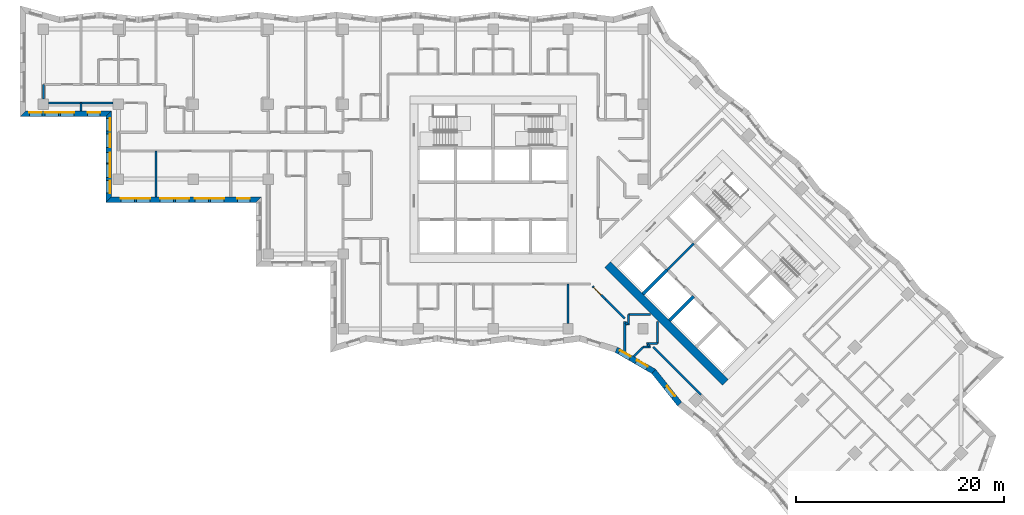
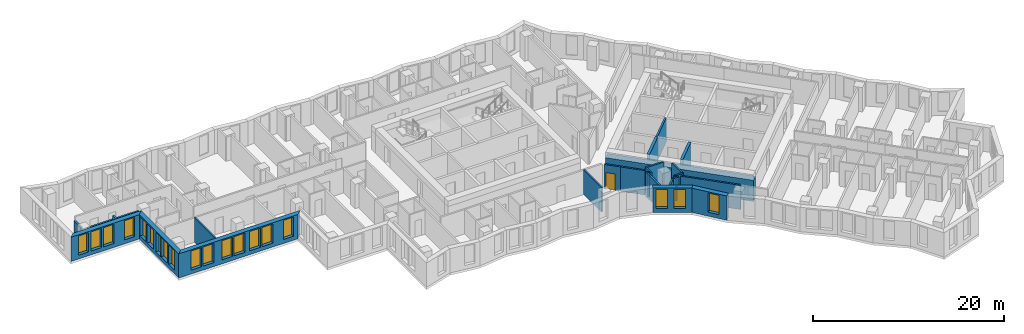
# One storey, part 3 of 13: 26 walls, 19 windows, 1 door, 20 openings.
"""IFC4 building model written with IfcOpenShell, lengths in metres."""

from ifc_helpers import new_model, si_unit, direction, frame, frame_2d, origin, place, context, subcontext, project, spatial, polyline, rectangle, outline, extrude, material, layer, layer_set, type_object, element, fill, save


model = new_model("IFC4")

# Units and contexts
model_context = context("Model", 3, precision=1e-05, world=origin(), true_north=direction((0.0, 1.0)))
body_context = subcontext(model_context, "Body", "Model", "MODEL_VIEW")
ifc_project = project(units=[si_unit("LENGTHUNIT", "METRE"), si_unit("AREAUNIT", "SQUARE_METRE"), si_unit("VOLUMEUNIT", "CUBIC_METRE"), si_unit("PLANEANGLEUNIT", "RADIAN"), si_unit("MASSUNIT", "GRAM", prefix="KILO")], contexts=[model_context])

# Site, building, storey
site_placement = place(None, origin())
site = spatial("IfcSite", under=ifc_project, at=site_placement, CompositionType="ELEMENT")
building_placement = place(site_placement, origin())
building = spatial("IfcBuilding", under=site, at=building_placement, Name="Windrow Commons", CompositionType="ELEMENT")
storey_placement = place(building_placement, frame((0.0, 0.0, 98.2)))
storey = spatial("IfcBuildingStorey", under=building, at=storey_placement, Name="L26", CompositionType="ELEMENT", Elevation=98.2)

# Wall, openings, windows
ifc_material_1 = material(Name="Brick masonry, red clay brick", Category="masonry")
ifc_layer_1 = layer(ifc_material_1, 0.55)
ifc_layer_set_1 = layer_set([ifc_layer_1], Name="Brick facade wall 550")
wall_type_1 = type_object("IfcWallType", Name="Brick facade wall 550", PredefinedType="SOLIDWALL", material=ifc_layer_set_1)
wall_1_placement = place(storey_placement, frame((19.624, 63.875, 0.0), z_axis=(0.0, 0.0, 1.0), x_axis=(1.0, 0.0, 0.0)))
wall_1 = element("IfcWall", 1, at=wall_1_placement, inside=storey, type_object=wall_type_1, Name="Brick facade wall L26 38", PredefinedType="SOLIDWALL", context=body_context, shape_type="SweptSolid", body=[
    extrude(outline(polyline([(-0.275, -0.275), (7.976, -0.275), (8.526, 0.275), (0.275, 0.275), (-0.275, -0.275)])), origin(), (0.0, 0.0, 1.0), 3.1),
])
opening_1_placement = place(wall_1_placement, frame((2.126, 0.0, 0.5)))
opening_1 = element("IfcOpeningElement", 2, at=opening_1_placement, cuts=wall_1, Name="Opening W1P", PredefinedType="OPENING", context=body_context, shape_type="SweptSolid", body=[
    extrude(rectangle(XDim=1.3, YDim=2.45, at=frame_2d((0.65, 1.225))), frame((0.0, 0.285, 0.0), z_axis=(0.0, -1.0, 0.0), x_axis=(1.0, 0.0, 0.0)), (0.0, 0.0, 1.0), 0.57),
])
opening_2_placement = place(wall_1_placement, frame((3.626, 0.0, 0.5)))
opening_2 = element("IfcOpeningElement", 3, at=opening_2_placement, cuts=wall_1, Name="Opening W1P", PredefinedType="OPENING", context=body_context, shape_type="SweptSolid", body=[
    extrude(rectangle(XDim=1.3, YDim=2.45, at=frame_2d((0.65, 1.225))), frame((0.0, 0.285, 0.0), z_axis=(0.0, -1.0, 0.0), x_axis=(1.0, 0.0, 0.0)), (0.0, 0.0, 1.0), 0.57),
])
opening_3_placement = place(wall_1_placement, frame((0.6255, 0.0, 0.5)))
opening_3 = element("IfcOpeningElement", 4, at=opening_3_placement, cuts=wall_1, Name="Opening W7D", PredefinedType="OPENING", context=body_context, shape_type="SweptSolid", body=[
    extrude(rectangle(XDim=1.2, YDim=2.45, at=frame_2d((0.6, 1.225))), frame((0.0, 0.285, 0.0), z_axis=(0.0, -1.0, 0.0), x_axis=(1.0, 0.0, 0.0)), (0.0, 0.0, 1.0), 0.57),
])
opening_4_placement = place(wall_1_placement, frame((6.2135, 0.0, 0.5)))
opening_4 = element("IfcOpeningElement", 5, at=opening_4_placement, cuts=wall_1, Name="Opening W7D", PredefinedType="OPENING", context=body_context, shape_type="SweptSolid", body=[
    extrude(rectangle(XDim=1.2, YDim=2.45, at=frame_2d((0.6, 1.225))), frame((0.0, 0.285, 0.0), z_axis=(0.0, -1.0, 0.0), x_axis=(1.0, 0.0, 0.0)), (0.0, 0.0, 1.0), 0.57),
])
ifc_material_2 = material(Name="Clear float glass in anodised aluminium frame", Category="aluminium")
window_type_1 = type_object("IfcWindowType", Name="Window W1P pair 1300x2450", PartitioningType="SINGLE_PANEL", PredefinedType="WINDOW", material=ifc_material_2)
window_1_placement = place(opening_1_placement, origin())
window_1 = element("IfcWindow", 6, at=window_1_placement, inside=storey, type_object=window_type_1, Name="Window L26 38.1A", OverallHeight=2.45, OverallWidth=1.3, PartitioningType="SINGLE_PANEL", PredefinedType="WINDOW", context=body_context, shape_type="SweptSolid", body=[
    extrude(rectangle(XDim=1.3, YDim=2.45, at=frame_2d((0.65, 1.225))), frame((0.0, 0.155, 0.0), z_axis=(0.0, -1.0, 0.0), x_axis=(1.0, 0.0, 0.0)), (0.0, 0.0, 1.0), 0.06),
])
fill(opening_1, window_1)
window_2_placement = place(opening_2_placement, origin())
window_2 = element("IfcWindow", 7, at=window_2_placement, inside=storey, type_object=window_type_1, Name="Window L26 38.1B", OverallHeight=2.45, OverallWidth=1.3, PartitioningType="SINGLE_PANEL", PredefinedType="WINDOW", context=body_context, shape_type="SweptSolid", body=[
    extrude(rectangle(XDim=1.3, YDim=2.45, at=frame_2d((0.65, 1.225))), frame((0.0, 0.155, 0.0), z_axis=(0.0, -1.0, 0.0), x_axis=(1.0, 0.0, 0.0)), (0.0, 0.0, 1.0), 0.06),
])
fill(opening_2, window_2)
ifc_material_3 = material(Name="Clear float glass in anodised aluminium frame", Category="aluminium")
window_type_2 = type_object("IfcWindowType", Name="Window W7 notch 1200x2450", PartitioningType="SINGLE_PANEL", PredefinedType="WINDOW", material=ifc_material_3)
window_3_placement = place(opening_3_placement, origin())
window_3 = element("IfcWindow", 8, at=window_3_placement, inside=storey, type_object=window_type_2, Name="Window L26 38.2", OverallHeight=2.45, OverallWidth=1.2, PartitioningType="SINGLE_PANEL", PredefinedType="WINDOW", context=body_context, shape_type="SweptSolid", body=[
    extrude(rectangle(XDim=1.2, YDim=2.45, at=frame_2d((0.6, 1.225))), frame((0.0, 0.155, 0.0), z_axis=(0.0, -1.0, 0.0), x_axis=(1.0, 0.0, 0.0)), (0.0, 0.0, 1.0), 0.06),
])
fill(opening_3, window_3)
window_4_placement = place(opening_4_placement, origin())
window_4 = element("IfcWindow", 9, at=window_4_placement, inside=storey, type_object=window_type_2, Name="Window L26 38.3", OverallHeight=2.45, OverallWidth=1.2, PartitioningType="SINGLE_PANEL", PredefinedType="WINDOW", context=body_context, shape_type="SweptSolid", body=[
    extrude(rectangle(XDim=1.2, YDim=2.45, at=frame_2d((0.6, 1.225))), frame((0.0, 0.155, 0.0), z_axis=(0.0, -1.0, 0.0), x_axis=(1.0, 0.0, 0.0)), (0.0, 0.0, 1.0), 0.06),
])
fill(opening_4, window_4)

wall_2_placement = place(storey_placement, frame((27.875, 63.875, 0.0), z_axis=(0.0, 0.0, 1.0), x_axis=(0.0, -1.0, 0.0)))
wall_2 = element("IfcWall", 10, at=wall_2_placement, inside=storey, type_object=wall_type_1, Name="Brick facade wall L26 39", PredefinedType="SOLIDWALL", context=body_context, shape_type="SweptSolid", body=[
    extrude(outline(polyline([(0.275, -0.275), (8.526, -0.275), (7.976, 0.275), (-0.275, 0.275), (0.275, -0.275)])), origin(), (0.0, 0.0, 1.0), 3.1),
])
opening_5_placement = place(wall_2_placement, frame((4.825, 0.0, 0.5)))
opening_5 = element("IfcOpeningElement", 11, at=opening_5_placement, cuts=wall_2, Name="Opening W1P", PredefinedType="OPENING", context=body_context, shape_type="SweptSolid", body=[
    extrude(rectangle(XDim=1.3, YDim=2.45, at=frame_2d((0.65, 1.225))), frame((0.0, 0.285, 0.0), z_axis=(0.0, -1.0, 0.0), x_axis=(1.0, 0.0, 0.0)), (0.0, 0.0, 1.0), 0.57),
])
opening_6_placement = place(wall_2_placement, frame((0.4375, 0.0, 0.5)))
opening_6 = element("IfcOpeningElement", 12, at=opening_6_placement, cuts=wall_2, Name="Opening W7D", PredefinedType="OPENING", context=body_context, shape_type="SweptSolid", body=[
    extrude(rectangle(XDim=1.2, YDim=2.45, at=frame_2d((0.6, 1.225))), frame((0.0, 0.285, 0.0), z_axis=(0.0, -1.0, 0.0), x_axis=(1.0, 0.0, 0.0)), (0.0, 0.0, 1.0), 0.57),
])
opening_7_placement = place(wall_2_placement, frame((6.4255, 0.0, 0.5)))
opening_7 = element("IfcOpeningElement", 13, at=opening_7_placement, cuts=wall_2, Name="Opening W7D", PredefinedType="OPENING", context=body_context, shape_type="SweptSolid", body=[
    extrude(rectangle(XDim=1.2, YDim=2.45, at=frame_2d((0.6, 1.225))), frame((0.0, 0.285, 0.0), z_axis=(0.0, -1.0, 0.0), x_axis=(1.0, 0.0, 0.0)), (0.0, 0.0, 1.0), 0.57),
])
opening_8_placement = place(wall_2_placement, frame((1.9313, 0.0, 0.5)))
opening_8 = element("IfcOpeningElement", 14, at=opening_8_placement, cuts=wall_2, Name="Opening W1P", PredefinedType="OPENING", context=body_context, shape_type="SweptSolid", body=[
    extrude(rectangle(XDim=1.3, YDim=2.45, at=frame_2d((0.65, 1.225))), frame((0.0, 0.285, 0.0), z_axis=(0.0, -1.0, 0.0), x_axis=(1.0, 0.0, 0.0)), (0.0, 0.0, 1.0), 0.57),
])
opening_9_placement = place(wall_2_placement, frame((3.725, 0.0, 0.45)))
opening_9 = element("IfcOpeningElement", 15, at=opening_9_placement, cuts=wall_2, Name="Opening W1S", PredefinedType="OPENING", context=body_context, shape_type="SweptSolid", body=[
    extrude(rectangle(XDim=1.0, YDim=2.5, at=frame_2d((0.5, 1.25))), frame((0.0, 0.285, 0.0), z_axis=(0.0, -1.0, 0.0), x_axis=(1.0, 0.0, 0.0)), (0.0, 0.0, 1.0), 0.57),
])
window_5_placement = place(opening_5_placement, origin())
window_5 = element("IfcWindow", 16, at=window_5_placement, inside=storey, type_object=window_type_1, Name="Window L26 39.1B", OverallHeight=2.45, OverallWidth=1.3, PartitioningType="SINGLE_PANEL", PredefinedType="WINDOW", context=body_context, shape_type="SweptSolid", body=[
    extrude(rectangle(XDim=1.3, YDim=2.45, at=frame_2d((0.65, 1.225))), frame((0.0, 0.155, 0.0), z_axis=(0.0, -1.0, 0.0), x_axis=(1.0, 0.0, 0.0)), (0.0, 0.0, 1.0), 0.06),
])
fill(opening_5, window_5)
window_6_placement = place(opening_8_placement, origin())
window_6 = element("IfcWindow", 17, at=window_6_placement, inside=storey, type_object=window_type_1, Name="Window L26 39.1AA", OverallHeight=2.45, OverallWidth=1.3, PartitioningType="SINGLE_PANEL", PredefinedType="WINDOW", context=body_context, shape_type="SweptSolid", body=[
    extrude(rectangle(XDim=1.3, YDim=2.45, at=frame_2d((0.65, 1.225))), frame((0.0, 0.155, 0.0), z_axis=(0.0, -1.0, 0.0), x_axis=(1.0, 0.0, 0.0)), (0.0, 0.0, 1.0), 0.06),
])
fill(opening_8, window_6)
ifc_material_4 = material(Name="Clear float glass in anodised aluminium frame", Category="aluminium")
window_type_3 = type_object("IfcWindowType", Name="Window W1S slit 1000x2500", PartitioningType="SINGLE_PANEL", PredefinedType="WINDOW", material=ifc_material_4)
window_7_placement = place(opening_9_placement, origin())
window_7 = element("IfcWindow", 18, at=window_7_placement, inside=storey, type_object=window_type_3, Name="Window L26 39.1AB", OverallHeight=2.5, OverallWidth=1.0, PartitioningType="SINGLE_PANEL", PredefinedType="WINDOW", context=body_context, shape_type="SweptSolid", body=[
    extrude(rectangle(XDim=1.0, YDim=2.5, at=frame_2d((0.5, 1.25))), frame((0.0, 0.155, 0.0), z_axis=(0.0, -1.0, 0.0), x_axis=(1.0, 0.0, 0.0)), (0.0, 0.0, 1.0), 0.06),
])
fill(opening_9, window_7)
window_8_placement = place(opening_6_placement, origin())
window_8 = element("IfcWindow", 19, at=window_8_placement, inside=storey, type_object=window_type_2, Name="Window L26 39.2", OverallHeight=2.45, OverallWidth=1.2, PartitioningType="SINGLE_PANEL", PredefinedType="WINDOW", context=body_context, shape_type="SweptSolid", body=[
    extrude(rectangle(XDim=1.2, YDim=2.45, at=frame_2d((0.6, 1.225))), frame((0.0, 0.155, 0.0), z_axis=(0.0, -1.0, 0.0), x_axis=(1.0, 0.0, 0.0)), (0.0, 0.0, 1.0), 0.06),
])
fill(opening_6, window_8)
window_9_placement = place(opening_7_placement, origin())
window_9 = element("IfcWindow", 20, at=window_9_placement, inside=storey, type_object=window_type_2, Name="Window L26 39.3", OverallHeight=2.45, OverallWidth=1.2, PartitioningType="SINGLE_PANEL", PredefinedType="WINDOW", context=body_context, shape_type="SweptSolid", body=[
    extrude(rectangle(XDim=1.2, YDim=2.45, at=frame_2d((0.6, 1.225))), frame((0.0, 0.155, 0.0), z_axis=(0.0, -1.0, 0.0), x_axis=(1.0, 0.0, 0.0)), (0.0, 0.0, 1.0), 0.06),
])
fill(opening_7, window_9)

wall_3_placement = place(storey_placement, frame((27.875, 55.624, 0.0), z_axis=(0.0, 0.0, 1.0), x_axis=(1.0, 0.0, 0.0)))
wall_3 = element("IfcWall", 21, at=wall_3_placement, inside=storey, type_object=wall_type_1, Name="Brick facade wall L26 40", PredefinedType="SOLIDWALL", context=body_context, shape_type="SweptSolid", body=[
    extrude(outline(polyline([(-0.275, -0.275), (14.125, -0.275), (14.675, 0.275), (0.275, 0.275), (-0.275, -0.275)])), origin(), (0.0, 0.0, 1.0), 3.1),
])
opening_10_placement = place(wall_3_placement, frame((1.175, 0.0, 0.5)))
opening_10 = element("IfcOpeningElement", 22, at=opening_10_placement, cuts=wall_3, Name="Opening W1P", PredefinedType="OPENING", context=body_context, shape_type="SweptSolid", body=[
    extrude(rectangle(XDim=1.3, YDim=2.45, at=frame_2d((0.65, 1.225))), frame((0.0, 0.285, 0.0), z_axis=(0.0, -1.0, 0.0), x_axis=(1.0, 0.0, 0.0)), (0.0, 0.0, 1.0), 0.57),
])
opening_11_placement = place(wall_3_placement, frame((2.675, 0.0, 0.5)))
opening_11 = element("IfcOpeningElement", 23, at=opening_11_placement, cuts=wall_3, Name="Opening W1P", PredefinedType="OPENING", context=body_context, shape_type="SweptSolid", body=[
    extrude(rectangle(XDim=1.3, YDim=2.45, at=frame_2d((0.65, 1.225))), frame((0.0, 0.285, 0.0), z_axis=(0.0, -1.0, 0.0), x_axis=(1.0, 0.0, 0.0)), (0.0, 0.0, 1.0), 0.57),
])
opening_12_placement = place(wall_3_placement, frame((4.925, 0.0, 0.5)))
opening_12 = element("IfcOpeningElement", 24, at=opening_12_placement, cuts=wall_3, Name="Opening W1P", PredefinedType="OPENING", context=body_context, shape_type="SweptSolid", body=[
    extrude(rectangle(XDim=1.3, YDim=2.45, at=frame_2d((0.65, 1.225))), frame((0.0, 0.285, 0.0), z_axis=(0.0, -1.0, 0.0), x_axis=(1.0, 0.0, 0.0)), (0.0, 0.0, 1.0), 0.57),
])
opening_13_placement = place(wall_3_placement, frame((6.425, 0.0, 0.5)))
opening_13 = element("IfcOpeningElement", 25, at=opening_13_placement, cuts=wall_3, Name="Opening W1P", PredefinedType="OPENING", context=body_context, shape_type="SweptSolid", body=[
    extrude(rectangle(XDim=1.3, YDim=2.45, at=frame_2d((0.65, 1.225))), frame((0.0, 0.285, 0.0), z_axis=(0.0, -1.0, 0.0), x_axis=(1.0, 0.0, 0.0)), (0.0, 0.0, 1.0), 0.57),
])
opening_14_placement = place(wall_3_placement, frame((8.275, 0.0, 0.5)))
opening_14 = element("IfcOpeningElement", 26, at=opening_14_placement, cuts=wall_3, Name="Opening W1P", PredefinedType="OPENING", context=body_context, shape_type="SweptSolid", body=[
    extrude(rectangle(XDim=1.3, YDim=2.45, at=frame_2d((0.65, 1.225))), frame((0.0, 0.285, 0.0), z_axis=(0.0, -1.0, 0.0), x_axis=(1.0, 0.0, 0.0)), (0.0, 0.0, 1.0), 0.57),
])
opening_15_placement = place(wall_3_placement, frame((9.775, 0.0, 0.5)))
opening_15 = element("IfcOpeningElement", 27, at=opening_15_placement, cuts=wall_3, Name="Opening W1P", PredefinedType="OPENING", context=body_context, shape_type="SweptSolid", body=[
    extrude(rectangle(XDim=1.3, YDim=2.45, at=frame_2d((0.65, 1.225))), frame((0.0, 0.285, 0.0), z_axis=(0.0, -1.0, 0.0), x_axis=(1.0, 0.0, 0.0)), (0.0, 0.0, 1.0), 0.57),
])
opening_16_placement = place(wall_3_placement, frame((12.3625, 0.0, 0.5)))
opening_16 = element("IfcOpeningElement", 28, at=opening_16_placement, cuts=wall_3, Name="Opening W7D", PredefinedType="OPENING", context=body_context, shape_type="SweptSolid", body=[
    extrude(rectangle(XDim=1.2, YDim=2.45, at=frame_2d((0.6, 1.225))), frame((0.0, 0.285, 0.0), z_axis=(0.0, -1.0, 0.0), x_axis=(1.0, 0.0, 0.0)), (0.0, 0.0, 1.0), 0.57),
])
window_10_placement = place(opening_10_placement, origin())
window_10 = element("IfcWindow", 29, at=window_10_placement, inside=storey, type_object=window_type_1, Name="Window L26 40.1A", OverallHeight=2.45, OverallWidth=1.3, PartitioningType="SINGLE_PANEL", PredefinedType="WINDOW", context=body_context, shape_type="SweptSolid", body=[
    extrude(rectangle(XDim=1.3, YDim=2.45, at=frame_2d((0.65, 1.225))), frame((0.0, 0.155, 0.0), z_axis=(0.0, -1.0, 0.0), x_axis=(1.0, 0.0, 0.0)), (0.0, 0.0, 1.0), 0.06),
])
fill(opening_10, window_10)
window_11_placement = place(opening_11_placement, origin())
window_11 = element("IfcWindow", 30, at=window_11_placement, inside=storey, type_object=window_type_1, Name="Window L26 40.1B", OverallHeight=2.45, OverallWidth=1.3, PartitioningType="SINGLE_PANEL", PredefinedType="WINDOW", context=body_context, shape_type="SweptSolid", body=[
    extrude(rectangle(XDim=1.3, YDim=2.45, at=frame_2d((0.65, 1.225))), frame((0.0, 0.155, 0.0), z_axis=(0.0, -1.0, 0.0), x_axis=(1.0, 0.0, 0.0)), (0.0, 0.0, 1.0), 0.06),
])
fill(opening_11, window_11)
window_12_placement = place(opening_12_placement, origin())
window_12 = element("IfcWindow", 31, at=window_12_placement, inside=storey, type_object=window_type_1, Name="Window L26 40.2A", OverallHeight=2.45, OverallWidth=1.3, PartitioningType="SINGLE_PANEL", PredefinedType="WINDOW", context=body_context, shape_type="SweptSolid", body=[
    extrude(rectangle(XDim=1.3, YDim=2.45, at=frame_2d((0.65, 1.225))), frame((0.0, 0.155, 0.0), z_axis=(0.0, -1.0, 0.0), x_axis=(1.0, 0.0, 0.0)), (0.0, 0.0, 1.0), 0.06),
])
fill(opening_12, window_12)
window_13_placement = place(opening_13_placement, origin())
window_13 = element("IfcWindow", 32, at=window_13_placement, inside=storey, type_object=window_type_1, Name="Window L26 40.2B", OverallHeight=2.45, OverallWidth=1.3, PartitioningType="SINGLE_PANEL", PredefinedType="WINDOW", context=body_context, shape_type="SweptSolid", body=[
    extrude(rectangle(XDim=1.3, YDim=2.45, at=frame_2d((0.65, 1.225))), frame((0.0, 0.155, 0.0), z_axis=(0.0, -1.0, 0.0), x_axis=(1.0, 0.0, 0.0)), (0.0, 0.0, 1.0), 0.06),
])
fill(opening_13, window_13)
window_14_placement = place(opening_14_placement, origin())
window_14 = element("IfcWindow", 33, at=window_14_placement, inside=storey, type_object=window_type_1, Name="Window L26 40.3A", OverallHeight=2.45, OverallWidth=1.3, PartitioningType="SINGLE_PANEL", PredefinedType="WINDOW", context=body_context, shape_type="SweptSolid", body=[
    extrude(rectangle(XDim=1.3, YDim=2.45, at=frame_2d((0.65, 1.225))), frame((0.0, 0.155, 0.0), z_axis=(0.0, -1.0, 0.0), x_axis=(1.0, 0.0, 0.0)), (0.0, 0.0, 1.0), 0.06),
])
fill(opening_14, window_14)
window_15_placement = place(opening_15_placement, origin())
window_15 = element("IfcWindow", 34, at=window_15_placement, inside=storey, type_object=window_type_1, Name="Window L26 40.3B", OverallHeight=2.45, OverallWidth=1.3, PartitioningType="SINGLE_PANEL", PredefinedType="WINDOW", context=body_context, shape_type="SweptSolid", body=[
    extrude(rectangle(XDim=1.3, YDim=2.45, at=frame_2d((0.65, 1.225))), frame((0.0, 0.155, 0.0), z_axis=(0.0, -1.0, 0.0), x_axis=(1.0, 0.0, 0.0)), (0.0, 0.0, 1.0), 0.06),
])
fill(opening_15, window_15)
window_16_placement = place(opening_16_placement, origin())
window_16 = element("IfcWindow", 35, at=window_16_placement, inside=storey, type_object=window_type_2, Name="Window L26 40.4", OverallHeight=2.45, OverallWidth=1.2, PartitioningType="SINGLE_PANEL", PredefinedType="WINDOW", context=body_context, shape_type="SweptSolid", body=[
    extrude(rectangle(XDim=1.2, YDim=2.45, at=frame_2d((0.6, 1.225))), frame((0.0, 0.155, 0.0), z_axis=(0.0, -1.0, 0.0), x_axis=(1.0, 0.0, 0.0)), (0.0, 0.0, 1.0), 0.06),
])
fill(opening_16, window_16)

wall_4_placement = place(storey_placement, frame((76.6313, 41.2026, 0.0), z_axis=(0.0, 0.0, 1.0), x_axis=(0.8653939422, -0.501092132, 0.0)))
wall_4 = element("IfcWall", 36, at=wall_4_placement, inside=storey, type_object=wall_type_1, Name="Brick facade wall L26 52", PredefinedType="SOLIDWALL", context=body_context, shape_type="SweptSolid", body=[
    extrude(outline(polyline([(0.0313, -0.275), (4.1112, -0.275), (4.2154, 0.275), (-0.0313, 0.275), (0.0313, -0.275)])), origin(), (0.0, 0.0, 1.0), 3.1),
])
opening_17_placement = place(wall_4_placement, frame((0.3483, 0.0, 0.5)))
opening_17 = element("IfcOpeningElement", 37, at=opening_17_placement, cuts=wall_4, Name="Opening W7D", PredefinedType="OPENING", context=body_context, shape_type="SweptSolid", body=[
    extrude(rectangle(XDim=1.2, YDim=2.45, at=frame_2d((0.6, 1.225))), frame((0.0, 0.285, 0.0), z_axis=(0.0, -1.0, 0.0), x_axis=(1.0, 0.0, 0.0)), (0.0, 0.0, 1.0), 0.57),
])
opening_18_placement = place(wall_4_placement, frame((2.2299, 0.0, 0.5)))
opening_18 = element("IfcOpeningElement", 38, at=opening_18_placement, cuts=wall_4, Name="Opening W7D", PredefinedType="OPENING", context=body_context, shape_type="SweptSolid", body=[
    extrude(rectangle(XDim=1.2, YDim=2.45, at=frame_2d((0.6, 1.225))), frame((0.0, 0.285, 0.0), z_axis=(0.0, -1.0, 0.0), x_axis=(1.0, 0.0, 0.0)), (0.0, 0.0, 1.0), 0.57),
])
window_17_placement = place(opening_17_placement, origin())
window_17 = element("IfcWindow", 39, at=window_17_placement, inside=storey, type_object=window_type_2, Name="Window L26 52.1", OverallHeight=2.45, OverallWidth=1.2, PartitioningType="SINGLE_PANEL", PredefinedType="WINDOW", context=body_context, shape_type="SweptSolid", body=[
    extrude(rectangle(XDim=1.2, YDim=2.45, at=frame_2d((0.6, 1.225))), frame((0.0, 0.155, 0.0), z_axis=(0.0, -1.0, 0.0), x_axis=(1.0, 0.0, 0.0)), (0.0, 0.0, 1.0), 0.06),
])
fill(opening_17, window_17)
window_18_placement = place(opening_18_placement, origin())
window_18 = element("IfcWindow", 40, at=window_18_placement, inside=storey, type_object=window_type_2, Name="Window L26 52.2", OverallHeight=2.45, OverallWidth=1.2, PartitioningType="SINGLE_PANEL", PredefinedType="WINDOW", context=body_context, shape_type="SweptSolid", body=[
    extrude(rectangle(XDim=1.2, YDim=2.45, at=frame_2d((0.6, 1.225))), frame((0.0, 0.155, 0.0), z_axis=(0.0, -1.0, 0.0), x_axis=(1.0, 0.0, 0.0)), (0.0, 0.0, 1.0), 0.06),
])
fill(opening_18, window_18)

# Wall, opening, window
wall_5_placement = place(storey_placement, frame((80.2342, 39.1164, 0.0), z_axis=(0.0, 0.0, 1.0), x_axis=(0.6221724239, -0.782880243, 0.0)))
wall_5 = element("IfcWall", 41, at=wall_5_placement, inside=storey, type_object=wall_type_1, Name="Brick facade wall L26 53", PredefinedType="SOLIDWALL", context=body_context, shape_type="SweptSolid", body=[
    extrude(outline(polyline([(0.0521, -0.275), (4.0201, -0.275), (3.9572, 0.275), (-0.0521, 0.275), (0.0521, -0.275)])), origin(), (0.0, 0.0, 1.0), 3.1),
])
opening_19_placement = place(wall_5_placement, frame((1.8908, 0.0, 0.5)))
opening_19 = element("IfcOpeningElement", 42, at=opening_19_placement, cuts=wall_5, Name="Opening W7D", PredefinedType="OPENING", context=body_context, shape_type="SweptSolid", body=[
    extrude(rectangle(XDim=1.2, YDim=2.45, at=frame_2d((0.6, 1.225))), frame((0.0, 0.285, 0.0), z_axis=(0.0, -1.0, 0.0), x_axis=(1.0, 0.0, 0.0)), (0.0, 0.0, 1.0), 0.57),
])
window_19_placement = place(opening_19_placement, origin())
window_19 = element("IfcWindow", 43, at=window_19_placement, inside=storey, type_object=window_type_2, Name="Window L26 53.1", OverallHeight=2.45, OverallWidth=1.2, PartitioningType="SINGLE_PANEL", PredefinedType="WINDOW", context=body_context, shape_type="SweptSolid", body=[
    extrude(rectangle(XDim=1.2, YDim=2.45, at=frame_2d((0.6, 1.225))), frame((0.0, 0.155, 0.0), z_axis=(0.0, -1.0, 0.0), x_axis=(1.0, 0.0, 0.0)), (0.0, 0.0, 1.0), 0.06),
])
fill(opening_19, window_19)

# Walls
ifc_material_5 = material(Name="Blockwork partition", Category="masonry")
ifc_layer_2 = layer(ifc_material_5, 0.2)
ifc_layer_set_2 = layer_set([ifc_layer_2], Name="Fire lobby partition 200")
wall_type_2 = type_object("IfcWallType", Name="Fire lobby partition 200", PredefinedType="PARTITIONING", material=ifc_layer_set_2)
wall_6_placement = place(storey_placement, frame((81.5335, 48.8776, 0.0), z_axis=(0.0, 0.0, 1.0), x_axis=(0.707092892, 0.7071206701, 0.0)))
element("IfcWall", 44, at=wall_6_placement, inside=storey, type_object=wall_type_2, Name="W-core-lobby-B-L26", PredefinedType="PARTITIONING", context=body_context, shape_type="SweptSolid", body=[
    extrude(rectangle(XDim=3.6, YDim=0.2, at=frame_2d((1.8, 0.0))), origin(), (0.0, 0.0, 1.0), 3.1),
])
ifc_material_6 = material(Name="Blockwork partition", Category="masonry")
ifc_layer_3 = layer(ifc_material_6, 0.2)
ifc_layer_set_3 = layer_set([ifc_layer_3], Name="IW-CORRIDOR-200")
wall_type_3 = type_object("IfcWallType", Name="IW-CORRIDOR-200", PredefinedType="PARTITIONING", material=ifc_layer_set_3)
wall_7_placement = place(storey_placement, frame((80.1973, 41.4533, 0.0), z_axis=(0.0, 0.0, 1.0), x_axis=(0.7071067812, -0.7071067812, 0.0)))
element("IfcWall", 45, at=wall_7_placement, inside=storey, type_object=wall_type_3, Name="W-L26-W025", PredefinedType="PARTITIONING", context=body_context, shape_type="SweptSolid", body=[
    extrude(rectangle(XDim=6.4884, YDim=0.2, at=frame_2d((3.2442, 0.0))), origin(), (0.0, 0.0, 1.0), 3.1),
])
wall_8_placement = place(storey_placement, frame((22.1, 64.9, 0.0), z_axis=(0.0, 0.0, 1.0), x_axis=(1.0, 0.0, 0.0)))
element("IfcWall", 46, at=wall_8_placement, inside=storey, type_object=wall_type_3, Name="W-L26-W028", PredefinedType="PARTITIONING", context=body_context, shape_type="SweptSolid", body=[
    extrude(rectangle(XDim=6.2, YDim=0.2, at=frame_2d((3.1, 0.0))), origin(), (0.0, 0.0, 1.0), 2.6),
])
wall_9_placement = place(storey_placement, frame((75.5982, 46.0402, 0.0), z_axis=(0.0, 0.0, 1.0), x_axis=(0.7074891043, -0.7067242512, 0.0)))
element("IfcWall", 47, at=wall_9_placement, inside=storey, type_object=wall_type_3, Name="W-L26-W069", PredefinedType="PARTITIONING", context=body_context, shape_type="SweptSolid", body=[
    extrude(rectangle(XDim=2.6149, YDim=0.2, at=frame_2d((1.3075, 0.0))), origin(), (0.0, 0.0, 1.0), 3.1),
])
for number, where, z_axis, x_axis, name in (
    (48, (77.802, 44.6, 0.0), (0.0, 0.0, 1.0), (1.0, 0.0, 0.0), "W-L26-W119"),
    (49, (80.6, 41.802, 0.0), (0.0, 0.0, 1.0), (0.0, 1.0, 0.0), "W-L26-W120"),
):
    element("IfcWall", number, at=place(storey_placement, frame(where, z_axis=z_axis, x_axis=x_axis)), inside=storey, type_object=wall_type_3, Name=name, PredefinedType="PARTITIONING", context=body_context, shape_type="SweptSolid", body=[
        extrude(rectangle(XDim=2.098, YDim=0.2, at=frame_2d((1.049, 0.0))), origin(), (0.0, 0.0, 1.0), 3.1),
    ])

# Wall, opening, door
wall_10_placement = place(storey_placement, frame((74.3393, 47.2973, 0.0), z_axis=(0.0, 0.0, 1.0), x_axis=(0.7071067812, -0.7071067812, 0.0)))
wall_10 = element("IfcWall", 50, at=wall_10_placement, inside=storey, type_object=wall_type_3, Name="W-L26-W156", PredefinedType="PARTITIONING", context=body_context, shape_type="SweptSolid", body=[
    extrude(rectangle(XDim=1.7791, YDim=0.2, at=frame_2d((0.8895, 0.0))), origin(), (0.0, 0.0, 1.0), 3.1),
])
opening_20_placement = place(wall_10_placement, frame((0.1857, 0.0, 0.0)))
opening_20 = element("IfcOpeningElement", 51, at=opening_20_placement, cuts=wall_10, Name="Opening D310F", PredefinedType="OPENING", context=body_context, shape_type="SweptSolid", body=[
    extrude(rectangle(XDim=1.0, YDim=2.1, at=frame_2d((0.5, 1.05))), frame((0.0, 0.11, 0.0), z_axis=(0.0, -1.0, 0.0), x_axis=(1.0, 0.0, 0.0)), (0.0, 0.0, 1.0), 0.22),
])
ifc_material_7 = material(Name="Timber door leaf", Category="wood")
door_type = type_object("IfcDoorType", Name="DT-AMENITY-1000", OperationType="SINGLE_SWING_LEFT", PredefinedType="DOOR", material=ifc_material_7)
door_placement = place(opening_20_placement, origin())
door = element("IfcDoor", 52, at=door_placement, inside=storey, type_object=door_type, Name="D-L26-D042", OperationType="SINGLE_SWING_LEFT", OverallHeight=2.1, OverallWidth=1.0, PredefinedType="DOOR", context=body_context, shape_type="SweptSolid", body=[
    extrude(rectangle(XDim=1.0, YDim=2.1, at=frame_2d((0.5, 1.05))), frame((0.0, 0.025, 0.0), z_axis=(0.0, -1.0, 0.0), x_axis=(1.0, 0.0, 0.0)), (0.0, 0.0, 1.0), 0.05),
])
fill(opening_20, door)

# Walls
wall_11_placement = place(storey_placement, frame((21.6, 65.3, 0.0), z_axis=(0.0, 0.0, 1.0), x_axis=(0.0, 1.0, 0.0)))
element("IfcWall", 53, at=wall_11_placement, inside=storey, type_object=wall_type_3, Name="W-L26-W165", PredefinedType="PARTITIONING", context=body_context, shape_type="SweptSolid", body=[
    extrude(rectangle(XDim=1.4, YDim=0.2, at=frame_2d((0.7, 0.0))), origin(), (0.0, 0.0, 1.0), 2.6),
])
for number, where, z_axis, x_axis, name in (
    (54, (77.8, 43.56, 0.0), (0.0, 0.0, 1.0), (0.0, 1.0, 0.0), "W-L26-W180"),
    (55, (79.56, 41.8, 0.0), (0.0, 0.0, 1.0), (1.0, 0.0, 0.0), "W-L26-W181"),
):
    element("IfcWall", number, at=place(storey_placement, frame(where, z_axis=z_axis, x_axis=x_axis)), inside=storey, type_object=wall_type_3, Name=name, PredefinedType="PARTITIONING", context=body_context, shape_type="SweptSolid", body=[
        extrude(rectangle(XDim=1.04, YDim=0.2, at=frame_2d((0.52, 0.0))), origin(), (0.0, 0.0, 1.0), 3.1),
    ])
for number, where, z_axis, x_axis, name in (
    (56, (79.6488, 41.7049, 0.0), (0.0, 0.0, 1.0), (0.7068844555, -0.707329037, 0.0), "W-L26-W205"),
    (57, (77.5458, 43.8078, 0.0), (0.0, 0.0, 1.0), (0.707329037, -0.7068844555, 0.0), "W-L26-W206"),
):
    element("IfcWall", number, at=place(storey_placement, frame(where, z_axis=z_axis, x_axis=x_axis)), inside=storey, type_object=wall_type_3, Name=name, PredefinedType="PARTITIONING", context=body_context, shape_type="SweptSolid", body=[
        extrude(rectangle(XDim=0.2249, YDim=0.2, at=frame_2d((0.1124, 0.0))), origin(), (0.0, 0.0, 1.0), 3.1),
    ])
ifc_material_8 = material(Name="Blockwork partition", Category="masonry")
ifc_layer_4 = layer(ifc_material_8, 0.2)
ifc_layer_set_4 = layer_set([ifc_layer_4], Name="IW-PARTY-200")
wall_type_4 = type_object("IfcWallType", Name="IW-PARTY-200", PredefinedType="PARTITIONING", material=ifc_layer_set_4)
wall_12_placement = place(storey_placement, frame((32.4, 55.899, 0.0), z_axis=(0.0, 0.0, 1.0), x_axis=(0.0, 1.0, 0.0)))
element("IfcWall", 58, at=wall_12_placement, inside=storey, type_object=wall_type_4, Name="W-L26-W049", PredefinedType="PARTITIONING", context=body_context, shape_type="SweptSolid", body=[
    extrude(rectangle(XDim=4.401, YDim=0.2, at=frame_2d((2.2005, 0.0))), origin(), (0.0, 0.0, 1.0), 3.1),
])
wall_13_placement = place(storey_placement, frame((72.0, 43.7, 0.0), z_axis=(0.0, 0.0, 1.0), x_axis=(0.0, 1.0, 0.0)))
element("IfcWall", 59, at=wall_13_placement, inside=storey, type_object=wall_type_4, Name="W-L26-W057", PredefinedType="PARTITIONING", context=body_context, shape_type="SweptSolid", body=[
    extrude(rectangle(XDim=3.8, YDim=0.2, at=frame_2d((1.9, 0.0))), origin(), (0.0, 0.0, 1.0), 3.1),
])
wall_14_placement = place(storey_placement, frame((77.45, 41.0464, 0.0), z_axis=(0.0, 0.0, 1.0), x_axis=(0.0, 1.0, 0.0)))
element("IfcWall", 60, at=wall_14_placement, inside=storey, type_object=wall_type_4, Name="W-L26-W063", PredefinedType="PARTITIONING", context=body_context, shape_type="SweptSolid", body=[
    extrude(rectangle(XDim=2.8636, YDim=0.2, at=frame_2d((1.4318, 0.0))), origin(), (0.0, 0.0, 1.0), 3.1),
])
wall_15_placement = place(storey_placement, frame((78.2997, 40.5544, 0.0), z_axis=(0.0, 0.0, 1.0), x_axis=(0.7071462414, 0.7070673188, 0.0)))
element("IfcWall", 61, at=wall_15_placement, inside=storey, type_object=wall_type_4, Name="W-L26-W174", PredefinedType="PARTITIONING", context=body_context, shape_type="SweptSolid", body=[
    extrude(rectangle(XDim=1.2671, YDim=0.2, at=frame_2d((0.6335, 0.0))), origin(), (0.0, 0.0, 1.0), 3.1),
])
wall_16_placement = place(storey_placement, frame((79.198, 41.45, 0.0), z_axis=(0.0, 0.0, 1.0), x_axis=(1.0, 0.0, 0.0)))
element("IfcWall", 62, at=wall_16_placement, inside=storey, type_object=wall_type_4, Name="W-L26-W188", PredefinedType="PARTITIONING", context=body_context, shape_type="SweptSolid", body=[
    extrude(rectangle(XDim=0.712, YDim=0.2, at=frame_2d((0.356, 0.0))), origin(), (0.0, 0.0, 1.0), 3.1),
])
wall_17_placement = place(storey_placement, frame((25.2, 64.15, 0.0), z_axis=(0.0, 0.0, 1.0), x_axis=(0.0, 1.0, 0.0)))
element("IfcWall", 63, at=wall_17_placement, inside=storey, type_object=wall_type_4, Name="W-L26-W190", PredefinedType="PARTITIONING", context=body_context, shape_type="SweptSolid", body=[
    extrude(rectangle(XDim=0.75, YDim=0.2, at=frame_2d((0.375, 0.0))), origin(), (0.0, 0.0, 1.0), 3.1),
])
ifc_material_9 = material(Name="Concrete C50/60", Category="concrete")
ifc_layer_5 = layer(ifc_material_9, 0.8)
ifc_layer_set_5 = layer_set([ifc_layer_5], Name="RC CORE WALL 800 C50/60")
wall_type_5 = type_object("IfcWallType", Name="RC CORE WALL 800 C50/60", PredefinedType="SHEAR", material=ifc_layer_set_5)
wall_18_placement = place(storey_placement, frame((75.8059, 49.3726, -0.3), z_axis=(0.0, 0.0, 1.0), x_axis=(0.7071067812, -0.7071067812, 0.0)))
element("IfcWall", 64, at=wall_18_placement, inside=storey, type_object=wall_type_5, Name="Core B wall outer-S", PredefinedType="SHEAR", context=body_context, shape_type="SweptSolid", body=[
    extrude(rectangle(XDim=16.0, YDim=0.8, at=frame_2d((8.0, 0.0))), origin(), (0.0, 0.0, 1.0), 2.7),
])
ifc_material_10 = material(Name="Concrete C50/60", Category="concrete")
ifc_layer_6 = layer(ifc_material_10, 0.3)
ifc_layer_set_6 = layer_set([ifc_layer_6], Name="RC SHAFT WALL 300 C50/60")
wall_type_6 = type_object("IfcWallType", Name="RC SHAFT WALL 300 C50/60", PredefinedType="SOLIDWALL", material=ifc_layer_set_6)
wall_19_placement = place(storey_placement, frame((79.2, 46.5442, 0.0), z_axis=(0.0, 0.0, 1.0), x_axis=(0.7071219326, 0.7070916295, 0.0)))
element("IfcWall", 65, at=wall_19_placement, inside=storey, type_object=wall_type_6, Name="Core B wall shaft-S1", PredefinedType="SOLIDWALL", context=body_context, shape_type="SweptSolid", body=[
    extrude(rectangle(XDim=3.3, YDim=0.3, at=frame_2d((1.65, 0.0))), origin(), (0.0, 0.0, 1.0), 3.1),
])
wall_20_placement = place(storey_placement, frame((81.7456, 43.9986, 0.0), z_axis=(0.0, 0.0, 1.0), x_axis=(0.7071067812, 0.7071067812, 0.0)))
element("IfcWall", 66, at=wall_20_placement, inside=storey, type_object=wall_type_6, Name="Core B wall shaft-S2", PredefinedType="SOLIDWALL", context=body_context, shape_type="SweptSolid", body=[
    extrude(rectangle(XDim=3.2999, YDim=0.3, at=frame_2d((1.65, 0.0))), origin(), (0.0, 0.0, 1.0), 3.1),
])

save(model, "model.ifc")
